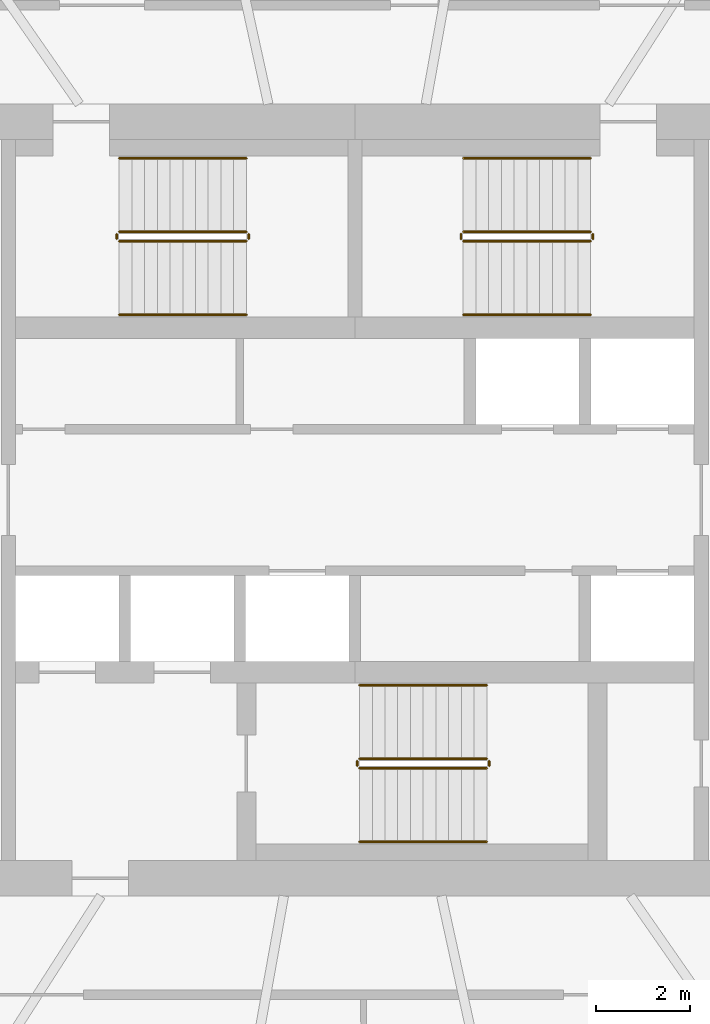
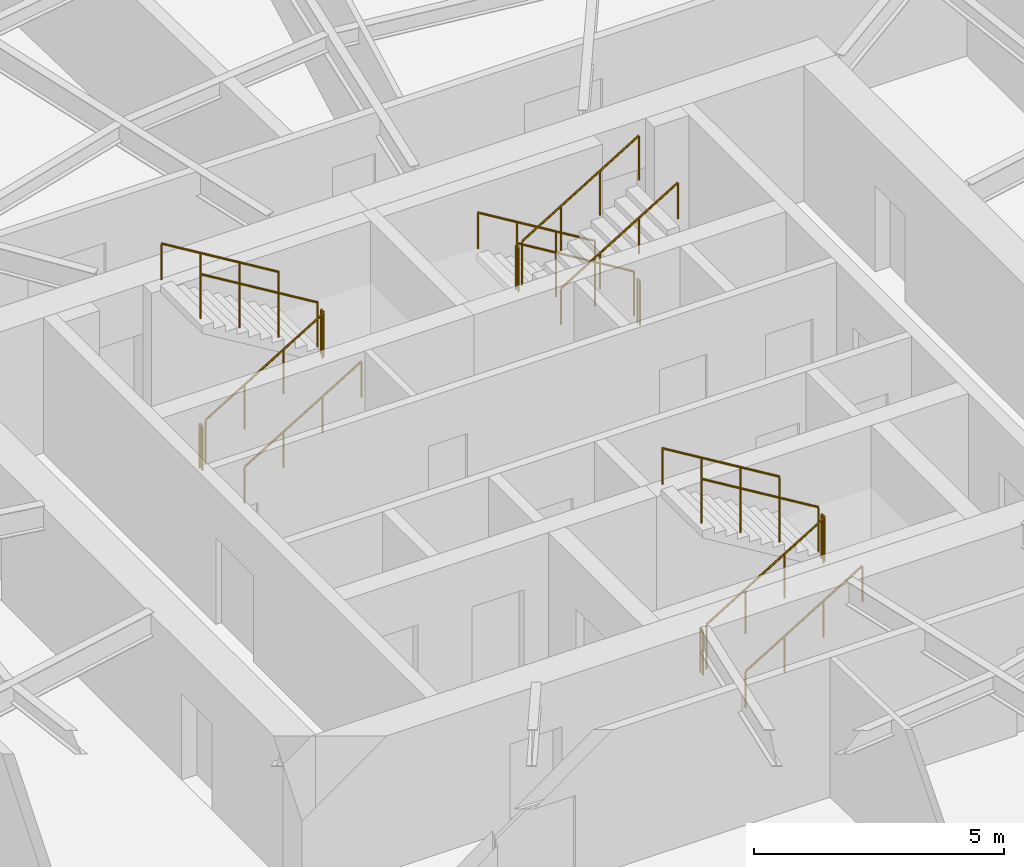
# One storey, part 13 of 14: 18 railings.
"""IFC4 building model written with IfcOpenShell, lengths in metres."""

from ifc_helpers import new_model, si_unit, direction, frame, origin, origin_2d, place, context, subcontext, project, spatial, circle, extrude, material, type_object, element, save


model = new_model("IFC4")

# Units and contexts
model_context = context("Model", 3, precision=1e-05, world=origin(), true_north=direction((0.0, 1.0)))
body_context = subcontext(model_context, "Body", "Model", "MODEL_VIEW")
ifc_project = project(units=[si_unit("LENGTHUNIT", "METRE"), si_unit("AREAUNIT", "SQUARE_METRE"), si_unit("VOLUMEUNIT", "CUBIC_METRE"), si_unit("PLANEANGLEUNIT", "RADIAN"), si_unit("MASSUNIT", "GRAM", prefix="KILO")], contexts=[model_context])

# Site, building, storey
site_placement = place(None, origin())
site = spatial("IfcSite", under=ifc_project, at=site_placement, CompositionType="ELEMENT")
building_placement = place(site_placement, origin())
building = spatial("IfcBuilding", under=site, at=building_placement, Name="Vermilion Reach Broadcast Tower", CompositionType="ELEMENT")
storey_placement = place(building_placement, frame((0.0, 0.0, 238.89990234375)))
storey = spatial("IfcBuildingStorey", under=building, at=storey_placement, Name="L59", CompositionType="ELEMENT", Elevation=238.89990234375)

# Railings
ifc_material_1 = material(Name="Stainless steel", Category="steel")
railing_type_1 = type_object("IfcRailingType", Name="Stair guard 1100", PredefinedType="GUARDRAIL", material=ifc_material_1)
railing_1_placement = place(storey_placement, frame((-11.0, 5.489990234375, 0.163818359375)))
element("IfcRailing", 1, at=railing_1_placement, inside=storey, type_object=railing_type_1, Name="L59 ST1 stair guard 1", PredefinedType="GUARDRAIL", context=body_context, shape_type="SweptSolid", body=[
    extrude(circle(Radius=0.02392578125, at=origin_2d()), frame((0.0, 0.0, 1.076171875), z_axis=(0.855212373127, 0.0, 0.518277721738), x_axis=(0.0, 1.0, 0.0)), (0.0, 0.0, 1.0), 3.156982421875),
    extrude(circle(Radius=0.02099609375, at=origin_2d()), origin(), (0.0, 0.0, 1.0), 1.052001953125),
    extrude(circle(Radius=0.02099609375, at=origin_2d()), frame((0.89990234375, 0.0, 0.54541015625)), (0.0, 0.0, 1.0), 1.052001953125),
    extrude(circle(Radius=0.02099609375, at=origin_2d()), frame((1.800048828125, 0.0, 1.0908203125)), (0.0, 0.0, 1.0), 1.052001953125),
    extrude(circle(Radius=0.02099609375, at=origin_2d()), frame((2.699951171875, 0.0, 1.63623046875)), (0.0, 0.0, 1.0), 1.052001953125),
])
railing_2_placement = place(storey_placement, frame((-8.25, 5.5400390625, 1.800048828125)))
element("IfcRailing", 2, at=railing_2_placement, inside=storey, type_object=railing_type_1, Name="L59 ST1 stair guard 2", PredefinedType="GUARDRAIL", context=body_context, shape_type="SweptSolid", body=[
    extrude(circle(Radius=0.02392578125, at=origin_2d()), frame((0.0, 0.0, 1.076171875), z_axis=(0.0, 1.0, 0.0), x_axis=(-1.0, 0.0, 0.0)), (0.0, 0.0, 1.0), 0.099853515625),
    extrude(circle(Radius=0.02099609375, at=origin_2d()), origin(), (0.0, 0.0, 1.0), 1.052001953125),
    extrude(circle(Radius=0.02099609375, at=origin_2d()), frame((0.0, 0.099853515625, 0.0)), (0.0, 0.0, 1.0), 1.052001953125),
])
railing_3_placement = place(storey_placement, frame((-8.300048828125, 5.68994140625, 1.963623046875)))
element("IfcRailing", 3, at=railing_3_placement, inside=storey, type_object=railing_type_1, Name="L59 ST1 stair guard 3", PredefinedType="GUARDRAIL", context=body_context, shape_type="SweptSolid", body=[
    extrude(circle(Radius=0.02392578125, at=origin_2d()), frame((0.0, 0.0, 1.076171875), z_axis=(-0.855178096276, 0.0, 0.518334277904), x_axis=(0.0, -1.0, 0.0)), (0.0, 0.0, 1.0), 3.1572265625),
    extrude(circle(Radius=0.02099609375, at=origin_2d()), origin(), (0.0, 0.0, 1.0), 1.052001953125),
    extrude(circle(Radius=0.02099609375, at=origin_2d()), frame((-0.89990234375, 0.0, 0.54541015625)), (0.0, 0.0, 1.0), 1.052001953125),
    extrude(circle(Radius=0.02099609375, at=origin_2d()), frame((-1.800048828125, 0.0, 1.091064453125)), (0.0, 0.0, 1.0), 1.052001953125),
    extrude(circle(Radius=0.02099609375, at=origin_2d()), frame((-2.699951171875, 0.0, 1.636474609375)), (0.0, 0.0, 1.0), 1.052001953125),
])
railing_4_placement = place(storey_placement, frame((-11.050048828125, 5.5400390625, 0.0)))
element("IfcRailing", 4, at=railing_4_placement, inside=storey, type_object=railing_type_1, Name="L59 ST1 stair guard 4", PredefinedType="GUARDRAIL", context=body_context, shape_type="SweptSolid", body=[
    extrude(circle(Radius=0.02392578125, at=origin_2d()), frame((0.0, 0.0, 1.076171875), z_axis=(0.0, 1.0, 0.0), x_axis=(-1.0, 0.0, 0.0)), (0.0, 0.0, 1.0), 0.099853515625),
    extrude(circle(Radius=0.02099609375, at=origin_2d()), origin(), (0.0, 0.0, 1.0), 1.052001953125),
    extrude(circle(Radius=0.02099609375, at=origin_2d()), frame((0.0, 0.099853515625, 0.0)), (0.0, 0.0, 1.0), 1.052001953125),
])
railing_5_placement = place(storey_placement, frame((-1.0, 5.68994140625, 0.163818359375)))
element("IfcRailing", 5, at=railing_5_placement, inside=storey, type_object=railing_type_1, Name="L59 ST2 stair guard 1", PredefinedType="GUARDRAIL", context=body_context, shape_type="SweptSolid", body=[
    extrude(circle(Radius=0.02392578125, at=origin_2d()), frame((0.0, 0.0, 1.076171875), z_axis=(-0.855212373127, 0.0, 0.518277721738), x_axis=(0.0, -1.0, 0.0)), (0.0, 0.0, 1.0), 3.156982421875),
    extrude(circle(Radius=0.02099609375, at=origin_2d()), origin(), (0.0, 0.0, 1.0), 1.052001953125),
    extrude(circle(Radius=0.02099609375, at=origin_2d()), frame((-0.89990234375, 0.0, 0.54541015625)), (0.0, 0.0, 1.0), 1.052001953125),
    extrude(circle(Radius=0.02099609375, at=origin_2d()), frame((-1.800048828125, 0.0, 1.0908203125)), (0.0, 0.0, 1.0), 1.052001953125),
    extrude(circle(Radius=0.02099609375, at=origin_2d()), frame((-2.699951171875, 0.0, 1.63623046875)), (0.0, 0.0, 1.0), 1.052001953125),
])
railing_6_placement = place(storey_placement, frame((-3.75, 5.639892578125, 1.800048828125)))
element("IfcRailing", 6, at=railing_6_placement, inside=storey, type_object=railing_type_1, Name="L59 ST2 stair guard 2", PredefinedType="GUARDRAIL", context=body_context, shape_type="SweptSolid", body=[
    extrude(circle(Radius=0.02392578125, at=origin_2d()), frame((0.0, 0.0, 1.076171875), z_axis=(0.0, -1.0, 0.0), x_axis=(1.0, 0.0, 0.0)), (0.0, 0.0, 1.0), 0.099853515625),
    extrude(circle(Radius=0.02099609375, at=origin_2d()), origin(), (0.0, 0.0, 1.0), 1.052001953125),
    extrude(circle(Radius=0.02099609375, at=origin_2d()), frame((0.0, -0.099853515625, 0.0)), (0.0, 0.0, 1.0), 1.052001953125),
])
railing_7_placement = place(storey_placement, frame((-3.699951171875, 5.489990234375, 1.963623046875)))
element("IfcRailing", 7, at=railing_7_placement, inside=storey, type_object=railing_type_1, Name="L59 ST2 stair guard 3", PredefinedType="GUARDRAIL", context=body_context, shape_type="SweptSolid", body=[
    extrude(circle(Radius=0.02392578125, at=origin_2d()), frame((0.0, 0.0, 1.076171875), z_axis=(0.855178096276, 0.0, 0.518334277904), x_axis=(0.0, 1.0, 0.0)), (0.0, 0.0, 1.0), 3.1572265625),
    extrude(circle(Radius=0.02099609375, at=origin_2d()), origin(), (0.0, 0.0, 1.0), 1.052001953125),
    extrude(circle(Radius=0.02099609375, at=origin_2d()), frame((0.89990234375, 0.0, 0.54541015625)), (0.0, 0.0, 1.0), 1.052001953125),
    extrude(circle(Radius=0.02099609375, at=origin_2d()), frame((1.800048828125, 0.0, 1.091064453125)), (0.0, 0.0, 1.0), 1.052001953125),
    extrude(circle(Radius=0.02099609375, at=origin_2d()), frame((2.699951171875, 0.0, 1.636474609375)), (0.0, 0.0, 1.0), 1.052001953125),
])
railing_8_placement = place(storey_placement, frame((-0.949951171875, 5.639892578125, 0.0)))
element("IfcRailing", 8, at=railing_8_placement, inside=storey, type_object=railing_type_1, Name="L59 ST2 stair guard 4", PredefinedType="GUARDRAIL", context=body_context, shape_type="SweptSolid", body=[
    extrude(circle(Radius=0.02392578125, at=origin_2d()), frame((0.0, 0.0, 1.076171875), z_axis=(0.0, -1.0, 0.0), x_axis=(1.0, 0.0, 0.0)), (0.0, 0.0, 1.0), 0.099853515625),
    extrude(circle(Radius=0.02099609375, at=origin_2d()), origin(), (0.0, 0.0, 1.0), 1.052001953125),
    extrude(circle(Radius=0.02099609375, at=origin_2d()), frame((0.0, -0.099853515625, 0.0)), (0.0, 0.0, 1.0), 1.052001953125),
])
railing_9_placement = place(storey_placement, frame((-5.89990234375, -5.68994140625, 0.163818359375)))
element("IfcRailing", 9, at=railing_9_placement, inside=storey, type_object=railing_type_1, Name="L59 ST3 stair guard 1", PredefinedType="GUARDRAIL", context=body_context, shape_type="SweptSolid", body=[
    extrude(circle(Radius=0.02392578125, at=origin_2d()), frame((0.0, 0.0, 1.076171875), z_axis=(0.855212373127, 0.0, 0.518277721738), x_axis=(0.0, 1.0, 0.0)), (0.0, 0.0, 1.0), 3.156982421875),
    extrude(circle(Radius=0.02099609375, at=origin_2d()), origin(), (0.0, 0.0, 1.0), 1.052001953125),
    extrude(circle(Radius=0.02099609375, at=origin_2d()), frame((0.89990234375, 0.0, 0.54541015625)), (0.0, 0.0, 1.0), 1.052001953125),
    extrude(circle(Radius=0.02099609375, at=origin_2d()), frame((1.800048828125, 0.0, 1.0908203125)), (0.0, 0.0, 1.0), 1.052001953125),
    extrude(circle(Radius=0.02099609375, at=origin_2d()), frame((2.699951171875, 0.0, 1.63623046875)), (0.0, 0.0, 1.0), 1.052001953125),
])
railing_10_placement = place(storey_placement, frame((-3.14990234375, -5.639892578125, 1.800048828125)))
element("IfcRailing", 10, at=railing_10_placement, inside=storey, type_object=railing_type_1, Name="L59 ST3 stair guard 2", PredefinedType="GUARDRAIL", context=body_context, shape_type="SweptSolid", body=[
    extrude(circle(Radius=0.02392578125, at=origin_2d()), frame((0.0, 0.0, 1.076171875), z_axis=(0.0, 1.0, 0.0), x_axis=(-1.0, 0.0, 0.0)), (0.0, 0.0, 1.0), 0.099853515625),
    extrude(circle(Radius=0.02099609375, at=origin_2d()), origin(), (0.0, 0.0, 1.0), 1.052001953125),
    extrude(circle(Radius=0.02099609375, at=origin_2d()), frame((0.0, 0.099853515625, 0.0)), (0.0, 0.0, 1.0), 1.052001953125),
])
railing_11_placement = place(storey_placement, frame((-3.199951171875, -5.489990234375, 1.963623046875)))
element("IfcRailing", 11, at=railing_11_placement, inside=storey, type_object=railing_type_1, Name="L59 ST3 stair guard 3", PredefinedType="GUARDRAIL", context=body_context, shape_type="SweptSolid", body=[
    extrude(circle(Radius=0.02392578125, at=origin_2d()), frame((0.0, 0.0, 1.076171875), z_axis=(-0.855178096276, 0.0, 0.518334277904), x_axis=(0.0, -1.0, 0.0)), (0.0, 0.0, 1.0), 3.1572265625),
    extrude(circle(Radius=0.02099609375, at=origin_2d()), origin(), (0.0, 0.0, 1.0), 1.052001953125),
    extrude(circle(Radius=0.02099609375, at=origin_2d()), frame((-0.89990234375, 0.0, 0.54541015625)), (0.0, 0.0, 1.0), 1.052001953125),
    extrude(circle(Radius=0.02099609375, at=origin_2d()), frame((-1.800048828125, 0.0, 1.091064453125)), (0.0, 0.0, 1.0), 1.052001953125),
    extrude(circle(Radius=0.02099609375, at=origin_2d()), frame((-2.699951171875, 0.0, 1.636474609375)), (0.0, 0.0, 1.0), 1.052001953125),
])
railing_12_placement = place(storey_placement, frame((-5.949951171875, -5.639892578125, 0.0)))
element("IfcRailing", 12, at=railing_12_placement, inside=storey, type_object=railing_type_1, Name="L59 ST3 stair guard 4", PredefinedType="GUARDRAIL", context=body_context, shape_type="SweptSolid", body=[
    extrude(circle(Radius=0.02392578125, at=origin_2d()), frame((0.0, 0.0, 1.076171875), z_axis=(0.0, 1.0, 0.0), x_axis=(-1.0, 0.0, 0.0)), (0.0, 0.0, 1.0), 0.099853515625),
    extrude(circle(Radius=0.02099609375, at=origin_2d()), origin(), (0.0, 0.0, 1.0), 1.052001953125),
    extrude(circle(Radius=0.02099609375, at=origin_2d()), frame((0.0, 0.099853515625, 0.0)), (0.0, 0.0, 1.0), 1.052001953125),
])
ifc_material_2 = material(Name="Stainless steel", Category="steel")
railing_type_2 = type_object("IfcRailingType", Name="Stair handrail", PredefinedType="HANDRAIL", material=ifc_material_2)
railing_13_placement = place(storey_placement, frame((-11.0, 3.929931640625, 0.163818359375)))
element("IfcRailing", 13, at=railing_13_placement, inside=storey, type_object=railing_type_2, Name="L59 ST1 stair handrail 1", PredefinedType="HANDRAIL", context=body_context, shape_type="SweptSolid", body=[
    extrude(circle(Radius=0.02392578125, at=origin_2d()), frame((0.0, 0.0, 0.8759765625), z_axis=(0.855212373127, 0.0, 0.518277721738), x_axis=(0.0, 1.0, 0.0)), (0.0, 0.0, 1.0), 3.156982421875),
    extrude(circle(Radius=0.02099609375, at=origin_2d()), origin(), (0.0, 0.0, 1.0), 0.851806640625),
    extrude(circle(Radius=0.02099609375, at=origin_2d()), frame((0.89990234375, 0.0, 0.54541015625)), (0.0, 0.0, 1.0), 0.851806640625),
    extrude(circle(Radius=0.02099609375, at=origin_2d()), frame((1.800048828125, 0.0, 1.0908203125)), (0.0, 0.0, 1.0), 0.851806640625),
    extrude(circle(Radius=0.02099609375, at=origin_2d()), frame((2.699951171875, 0.0, 1.63623046875)), (0.0, 0.0, 1.0), 0.851806640625),
])
railing_14_placement = place(storey_placement, frame((-8.300048828125, 7.25, 1.963623046875)))
element("IfcRailing", 14, at=railing_14_placement, inside=storey, type_object=railing_type_2, Name="L59 ST1 stair handrail 2", PredefinedType="HANDRAIL", context=body_context, shape_type="SweptSolid", body=[
    extrude(circle(Radius=0.02392578125, at=origin_2d()), frame((0.0, 0.0, 0.8759765625), z_axis=(-0.855178096276, 0.0, 0.518334277904), x_axis=(0.0, -1.0, 0.0)), (0.0, 0.0, 1.0), 3.1572265625),
    extrude(circle(Radius=0.02099609375, at=origin_2d()), origin(), (0.0, 0.0, 1.0), 0.851806640625),
    extrude(circle(Radius=0.02099609375, at=origin_2d()), frame((-0.89990234375, 0.0, 0.54541015625)), (0.0, 0.0, 1.0), 0.851806640625),
    extrude(circle(Radius=0.02099609375, at=origin_2d()), frame((-1.800048828125, 0.0, 1.091064453125)), (0.0, 0.0, 1.0), 0.851806640625),
    extrude(circle(Radius=0.02099609375, at=origin_2d()), frame((-2.699951171875, 0.0, 1.636474609375)), (0.0, 0.0, 1.0), 0.851806640625),
])
railing_15_placement = place(storey_placement, frame((-1.0, 7.25, 0.163818359375)))
element("IfcRailing", 15, at=railing_15_placement, inside=storey, type_object=railing_type_2, Name="L59 ST2 stair handrail 1", PredefinedType="HANDRAIL", context=body_context, shape_type="SweptSolid", body=[
    extrude(circle(Radius=0.02392578125, at=origin_2d()), frame((0.0, 0.0, 0.8759765625), z_axis=(-0.855212373127, 0.0, 0.518277721738), x_axis=(0.0, -1.0, 0.0)), (0.0, 0.0, 1.0), 3.156982421875),
    extrude(circle(Radius=0.02099609375, at=origin_2d()), origin(), (0.0, 0.0, 1.0), 0.851806640625),
    extrude(circle(Radius=0.02099609375, at=origin_2d()), frame((-0.89990234375, 0.0, 0.54541015625)), (0.0, 0.0, 1.0), 0.851806640625),
    extrude(circle(Radius=0.02099609375, at=origin_2d()), frame((-1.800048828125, 0.0, 1.0908203125)), (0.0, 0.0, 1.0), 0.851806640625),
    extrude(circle(Radius=0.02099609375, at=origin_2d()), frame((-2.699951171875, 0.0, 1.63623046875)), (0.0, 0.0, 1.0), 0.851806640625),
])
railing_16_placement = place(storey_placement, frame((-3.699951171875, 3.929931640625, 1.963623046875)))
element("IfcRailing", 16, at=railing_16_placement, inside=storey, type_object=railing_type_2, Name="L59 ST2 stair handrail 2", PredefinedType="HANDRAIL", context=body_context, shape_type="SweptSolid", body=[
    extrude(circle(Radius=0.02392578125, at=origin_2d()), frame((0.0, 0.0, 0.8759765625), z_axis=(0.855178096276, 0.0, 0.518334277904), x_axis=(0.0, 1.0, 0.0)), (0.0, 0.0, 1.0), 3.1572265625),
    extrude(circle(Radius=0.02099609375, at=origin_2d()), origin(), (0.0, 0.0, 1.0), 0.851806640625),
    extrude(circle(Radius=0.02099609375, at=origin_2d()), frame((0.89990234375, 0.0, 0.54541015625)), (0.0, 0.0, 1.0), 0.851806640625),
    extrude(circle(Radius=0.02099609375, at=origin_2d()), frame((1.800048828125, 0.0, 1.091064453125)), (0.0, 0.0, 1.0), 0.851806640625),
    extrude(circle(Radius=0.02099609375, at=origin_2d()), frame((2.699951171875, 0.0, 1.636474609375)), (0.0, 0.0, 1.0), 0.851806640625),
])
railing_17_placement = place(storey_placement, frame((-5.89990234375, -7.25, 0.163818359375)))
element("IfcRailing", 17, at=railing_17_placement, inside=storey, type_object=railing_type_2, Name="L59 ST3 stair handrail 1", PredefinedType="HANDRAIL", context=body_context, shape_type="SweptSolid", body=[
    extrude(circle(Radius=0.02392578125, at=origin_2d()), frame((0.0, 0.0, 0.8759765625), z_axis=(0.855212373127, 0.0, 0.518277721738), x_axis=(0.0, 1.0, 0.0)), (0.0, 0.0, 1.0), 3.156982421875),
    extrude(circle(Radius=0.02099609375, at=origin_2d()), origin(), (0.0, 0.0, 1.0), 0.851806640625),
    extrude(circle(Radius=0.02099609375, at=origin_2d()), frame((0.89990234375, 0.0, 0.54541015625)), (0.0, 0.0, 1.0), 0.851806640625),
    extrude(circle(Radius=0.02099609375, at=origin_2d()), frame((1.800048828125, 0.0, 1.0908203125)), (0.0, 0.0, 1.0), 0.851806640625),
    extrude(circle(Radius=0.02099609375, at=origin_2d()), frame((2.699951171875, 0.0, 1.63623046875)), (0.0, 0.0, 1.0), 0.851806640625),
])
railing_18_placement = place(storey_placement, frame((-3.199951171875, -3.929931640625, 1.963623046875)))
element("IfcRailing", 18, at=railing_18_placement, inside=storey, type_object=railing_type_2, Name="L59 ST3 stair handrail 2", PredefinedType="HANDRAIL", context=body_context, shape_type="SweptSolid", body=[
    extrude(circle(Radius=0.02392578125, at=origin_2d()), frame((0.0, 0.0, 0.8759765625), z_axis=(-0.855178096276, 0.0, 0.518334277904), x_axis=(0.0, -1.0, 0.0)), (0.0, 0.0, 1.0), 3.1572265625),
    extrude(circle(Radius=0.02099609375, at=origin_2d()), origin(), (0.0, 0.0, 1.0), 0.851806640625),
    extrude(circle(Radius=0.02099609375, at=origin_2d()), frame((-0.89990234375, 0.0, 0.54541015625)), (0.0, 0.0, 1.0), 0.851806640625),
    extrude(circle(Radius=0.02099609375, at=origin_2d()), frame((-1.800048828125, 0.0, 1.091064453125)), (0.0, 0.0, 1.0), 0.851806640625),
    extrude(circle(Radius=0.02099609375, at=origin_2d()), frame((-2.699951171875, 0.0, 1.636474609375)), (0.0, 0.0, 1.0), 0.851806640625),
])

save(model, "model.ifc")
